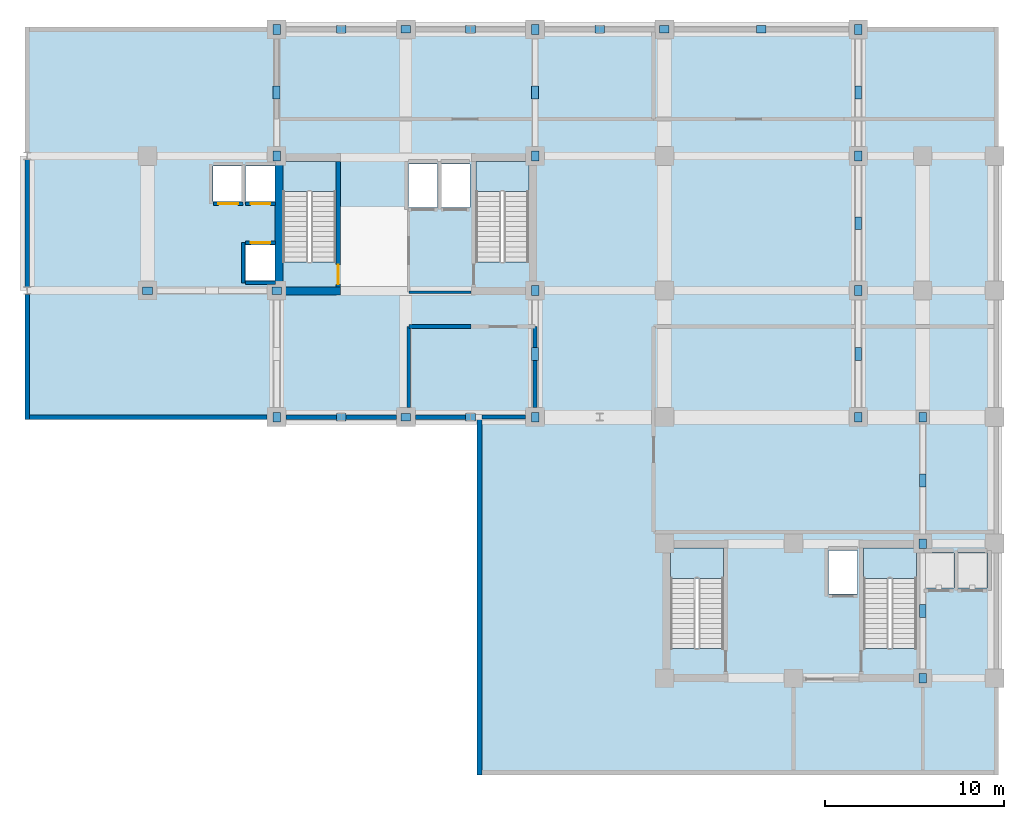
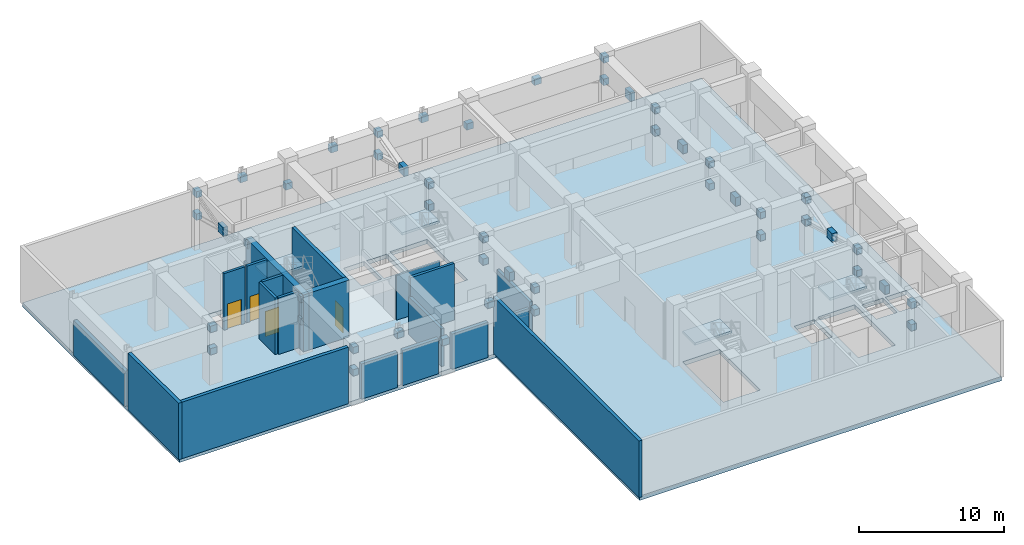
# One storey, part 4 of 10: 49 plates, 20 walls, 5 slabs, 4 doors, 4 openings, 4 elements without a shape of their own.
"""IFC4 building model written with IfcOpenShell, lengths in metres."""

from ifc_helpers import new_model, si_unit, direction, frame, frame_2d, origin, origin_2d, place, context, subcontext, project, spatial, polyline, rectangle, outline, extrude, source, transform, mapped, material, layer, layer_set, type_object, element, fill, aggregate, save


model = new_model("IFC4")

# Units and contexts
model_context = context("Model", 3, precision=1e-05, world=origin(), true_north=direction((0.0, 1.0)))
body_context = subcontext(model_context, "Body", "Model", "MODEL_VIEW")
ifc_project = project(units=[si_unit("LENGTHUNIT", "METRE"), si_unit("AREAUNIT", "SQUARE_METRE"), si_unit("VOLUMEUNIT", "CUBIC_METRE"), si_unit("PLANEANGLEUNIT", "RADIAN"), si_unit("MASSUNIT", "GRAM", prefix="KILO")], contexts=[model_context])

# Site, building, storey
site_placement = place(None, origin())
site = spatial("IfcSite", under=ifc_project, at=site_placement, CompositionType="ELEMENT")
building_placement = place(site_placement, origin())
building = spatial("IfcBuilding", under=site, at=building_placement, Name="Kaliganga Portal Commons", CompositionType="ELEMENT")
storey_placement = place(building_placement, frame((0.0, 0.0, 192.0)))
storey = spatial("IfcBuildingStorey", under=building, at=storey_placement, Name="L49", CompositionType="ELEMENT", Elevation=192.0)

# Slab
ifc_material_1 = material(Name="Concrete C60/75", Category="concrete")
ifc_layer_1 = layer(ifc_material_1, 0.360107421875)
ifc_layer_set_1 = layer_set([ifc_layer_1], Name="Concrete C60/75")
slab_type_1 = type_object("IfcSlabType", Name="SLB-OUTRIG-360", PredefinedType="FLOOR", material=ifc_layer_set_1)
slab_1_placement = place(storey_placement, frame((0.0, 0.0, -0.360107421875)))
element("IfcSlab", 1, at=slab_1_placement, inside=storey, type_object=slab_type_1, Name="Structural Floor Slab L49", PredefinedType="FLOOR", context=body_context, shape_type="SweptSolid", body=[
    extrude(outline(polyline([(25.699951171875, 1.800048828125), (54.5, 1.800048828125), (54.5, 43.199951171875), (0.5, 43.199951171875), (0.5, 21.60009765625), (25.699951171875, 21.60009765625), (25.699951171875, 1.800048828125)]), holes=[polyline([(14.75, 30.25390625), (14.75, 35.85009765625), (17.699951171875, 35.85009765625), (17.699951171875, 30.25390625), (14.75, 30.25390625)]), polyline([(25.5, 30.25390625), (25.5, 35.85009765625), (28.449951171875, 35.85009765625), (28.449951171875, 30.25390625), (25.5, 30.25390625)]), polyline([(36.35009765625, 8.7041015625), (36.35009765625, 14.300048828125), (39.300048828125, 14.300048828125), (39.300048828125, 8.7041015625), (36.35009765625, 8.7041015625)]), polyline([(47.10009765625, 8.7041015625), (47.10009765625, 14.300048828125), (50.050048828125, 14.300048828125), (50.050048828125, 8.7041015625), (47.10009765625, 8.7041015625)]), polyline([(12.6650390625, 33.614990234375), (12.6650390625, 35.5849609375), (14.3349609375, 35.5849609375), (14.3349609375, 33.614990234375), (12.6650390625, 33.614990234375)]), polyline([(12.6650390625, 29.215087890625), (12.6650390625, 31.18505859375), (14.3349609375, 31.18505859375), (14.3349609375, 29.215087890625), (12.6650390625, 29.215087890625)]), polyline([(10.864990234375, 33.614990234375), (10.864990234375, 35.5849609375), (12.534912109375, 35.5849609375), (12.534912109375, 33.614990234375), (10.864990234375, 33.614990234375)]), polyline([(21.739990234375, 33.2900390625), (21.739990234375, 35.7099609375), (23.360107421875, 35.7099609375), (23.360107421875, 33.2900390625), (21.739990234375, 33.2900390625)]), polyline([(23.5400390625, 33.2900390625), (23.5400390625, 35.7099609375), (25.159912109375, 35.7099609375), (25.159912109375, 33.2900390625), (23.5400390625, 33.2900390625)]), polyline([(50.465087890625, 12.06494140625), (50.465087890625, 14.034912109375), (52.135009765625, 14.034912109375), (52.135009765625, 12.06494140625), (50.465087890625, 12.06494140625)]), polyline([(52.31494140625, 12.06494140625), (52.31494140625, 14.034912109375), (53.985107421875, 14.034912109375), (53.985107421875, 12.06494140625), (52.31494140625, 12.06494140625)]), polyline([(45.139892578125, 11.739990234375), (45.139892578125, 14.159912109375), (46.760009765625, 14.159912109375), (46.760009765625, 11.739990234375), (45.139892578125, 11.739990234375)])]), origin(), (0.0, 0.0, 1.0), 0.360107421875),
])

# Stair, slab
ifc_material_2 = material(Name="Concrete C40/50", Category="concrete")
stair_type = type_object("IfcStairType", Name="ST-CORE-DOGLEG", PredefinedType="HALF_TURN_STAIR", material=ifc_material_2)
stair_1_placement = place(storey_placement, origin())
stair_1 = element("IfcStair", 2, at=stair_1_placement, inside=storey, type_object=stair_type, Name="L49 Protected Exit Stair ST-A1", PredefinedType="HALF_TURN_STAIR")
ifc_layer_2 = layer(ifc_material_2, 0.199951171875)
ifc_layer_set_2 = layer_set([ifc_layer_2], Name="Concrete C40/50")
slab_type_2 = type_object("IfcSlabType", Name="SLB-STAIR-LND", PredefinedType="LANDING", material=ifc_layer_set_2)
slab_2_placement = place(storey_placement, frame((0.0, 0.0, 2.39990234375)))
slab_2 = element("IfcSlab", 3, at=slab_2_placement, type_object=slab_type_2, Name="ST-A1 landing 1", PredefinedType="LANDING", context=body_context, shape_type="SweptSolid", body=[
    extrude(outline(polyline([(17.699951171875, 34.169921875), (17.699951171875, 35.85009765625), (14.75, 35.85009765625), (14.75, 34.169921875), (17.699951171875, 34.169921875)])), origin(), (0.0, 0.0, 1.0), 0.2001953125),
])
aggregate(stair_1, [slab_2])

stair_2_placement = place(storey_placement, origin())
stair_2 = element("IfcStair", 4, at=stair_2_placement, inside=storey, type_object=stair_type, Name="L49 Protected Exit Stair ST-A2", PredefinedType="HALF_TURN_STAIR")
slab_3_placement = place(storey_placement, frame((0.0, 0.0, 2.39990234375)))
slab_3 = element("IfcSlab", 5, at=slab_3_placement, type_object=slab_type_2, Name="ST-A2 landing 1", PredefinedType="LANDING", context=body_context, shape_type="SweptSolid", body=[
    extrude(outline(polyline([(28.449951171875, 34.169921875), (28.449951171875, 35.85009765625), (25.5, 35.85009765625), (25.5, 34.169921875), (28.449951171875, 34.169921875)])), origin(), (0.0, 0.0, 1.0), 0.2001953125),
])
aggregate(stair_2, [slab_3])

stair_3_placement = place(storey_placement, origin())
stair_3 = element("IfcStair", 6, at=stair_3_placement, inside=storey, type_object=stair_type, Name="L49 Protected Exit Stair ST-B1", PredefinedType="HALF_TURN_STAIR")
slab_4_placement = place(storey_placement, frame((0.0, 0.0, 2.39990234375)))
slab_4 = element("IfcSlab", 7, at=slab_4_placement, type_object=slab_type_2, Name="ST-B1 landing 1", PredefinedType="LANDING", context=body_context, shape_type="SweptSolid", body=[
    extrude(outline(polyline([(39.300048828125, 12.6201171875), (39.300048828125, 14.300048828125), (36.35009765625, 14.300048828125), (36.35009765625, 12.6201171875), (39.300048828125, 12.6201171875)])), origin(), (0.0, 0.0, 1.0), 0.2001953125),
])
aggregate(stair_3, [slab_4])

stair_4_placement = place(storey_placement, origin())
stair_4 = element("IfcStair", 8, at=stair_4_placement, inside=storey, type_object=stair_type, Name="L49 Protected Exit Stair ST-B2", PredefinedType="HALF_TURN_STAIR")
slab_5_placement = place(storey_placement, frame((0.0, 0.0, 2.39990234375)))
slab_5 = element("IfcSlab", 9, at=slab_5_placement, type_object=slab_type_2, Name="ST-B2 landing 1", PredefinedType="LANDING", context=body_context, shape_type="SweptSolid", body=[
    extrude(outline(polyline([(50.050048828125, 12.6201171875), (50.050048828125, 14.300048828125), (47.10009765625, 14.300048828125), (47.10009765625, 12.6201171875), (50.050048828125, 12.6201171875)])), origin(), (0.0, 0.0, 1.0), 0.2001953125),
])
aggregate(stair_4, [slab_5])

# Plates
ifc_material_3 = material(Name="Structural steel S460M", Category="steel")
ifc_layer_3 = layer(ifc_material_3, 0.031982421875)
ifc_layer_set_3 = layer_set([ifc_layer_3], Name="Structural steel S460M")
plate_type = type_object("IfcPlateType", Name="PLT-GUSSET-32", PredefinedType="USERDEFINED", material=ifc_layer_set_3)
shared_shape_1 = source(origin(), body_context, "Body", "SweptSolid", [
    extrude(rectangle(XDim=0.5400390625, YDim=0.419921875, at=origin_2d()), origin(), (0.0, 0.0, 1.0), 0.5400390625),
])
for number, where, z_axis, x_axis, name in (
    (10, (14.39990234375, 28.64990234375, 2.280029296875), (0.0, 0.0, 1.0), (-1.0, 0.0, 0.0), "Brace End Gusset Plate PLT-ENDG-L49-O01A0"),
    (11, (7.199951171875, 28.64990234375, 4.159912109375), (0.0, 0.0, 1.0), (-1.0, 0.0, 0.0), "Brace End Gusset Plate PLT-ENDG-L49-O01A1"),
    (12, (14.39990234375, 28.64990234375, 4.159912109375), (0.0, 0.0, 1.0), (-1.0, 0.0, 0.0), "Brace End Gusset Plate PLT-ENDG-L49-O01B0"),
    (13, (7.199951171875, 28.64990234375, 2.280029296875), (0.0, 0.0, 1.0), (-1.0, 0.0, 0.0), "Brace End Gusset Plate PLT-ENDG-L49-O01B1"),
    (14, (14.39990234375, 21.60009765625, 4.159912109375), (0.0, 0.0, 1.0), (0.0, -1.0, 0.0), "Brace End Gusset Plate PLT-ENDG-L49-O02A1"),
    (15, (14.39990234375, 21.60009765625, 2.280029296875), (0.0, 0.0, 1.0), (0.0, -1.0, 0.0), "Brace End Gusset Plate PLT-ENDG-L49-O02B1"),
    (16, (28.800048828125, 28.64990234375, 2.280029296875), (0.0, 0.0, 1.0), (0.0, -1.0, 0.0), "Brace End Gusset Plate PLT-ENDG-L49-O03A0"),
    (17, (28.800048828125, 21.60009765625, 4.159912109375), (0.0, 0.0, 1.0), (0.0, -1.0, 0.0), "Brace End Gusset Plate PLT-ENDG-L49-O03A1"),
    (18, (28.800048828125, 28.64990234375, 4.159912109375), (0.0, 0.0, 1.0), (0.0, -1.0, 0.0), "Brace End Gusset Plate PLT-ENDG-L49-O03B0"),
    (19, (28.800048828125, 21.60009765625, 2.280029296875), (0.0, 0.0, 1.0), (0.0, -1.0, 0.0), "Brace End Gusset Plate PLT-ENDG-L49-O03B1"),
    (20, (14.39990234375, 36.14990234375, 2.280029296875), (0.0, 0.0, 1.0), (0.0, 1.0, 0.0), "Brace End Gusset Plate PLT-ENDG-L49-O04A0"),
    (21, (14.39990234375, 43.199951171875, 4.159912109375), (0.0, 0.0, 1.0), (0.0, 1.0, 0.0), "Brace End Gusset Plate PLT-ENDG-L49-O04A1"),
    (22, (14.39990234375, 36.14990234375, 4.159912109375), (0.0, 0.0, 1.0), (0.0, 1.0, 0.0), "Brace End Gusset Plate PLT-ENDG-L49-O04B0"),
    (23, (14.39990234375, 43.199951171875, 2.280029296875), (0.0, 0.0, 1.0), (0.0, 1.0, 0.0), "Brace End Gusset Plate PLT-ENDG-L49-O04B1"),
    (24, (28.800048828125, 36.14990234375, 2.280029296875), (0.0, 0.0, 1.0), (0.0, 1.0, 0.0), "Brace End Gusset Plate PLT-ENDG-L49-O05A0"),
    (25, (28.800048828125, 43.199951171875, 4.159912109375), (0.0, 0.0, 1.0), (0.0, 1.0, 0.0), "Brace End Gusset Plate PLT-ENDG-L49-O05A1"),
    (26, (28.800048828125, 36.14990234375, 4.159912109375), (0.0, 0.0, 1.0), (0.0, 1.0, 0.0), "Brace End Gusset Plate PLT-ENDG-L49-O05B0"),
    (27, (28.800048828125, 43.199951171875, 2.280029296875), (0.0, 0.0, 1.0), (0.0, 1.0, 0.0), "Brace End Gusset Plate PLT-ENDG-L49-O05B1"),
    (28, (46.800048828125, 21.60009765625, 2.280029296875), (0.0, 0.0, 1.0), (0.0, 1.0, 0.0), "Brace End Gusset Plate PLT-ENDG-L49-O06A0"),
    (29, (46.800048828125, 28.64990234375, 4.159912109375), (0.0, 0.0, 1.0), (0.0, 1.0, 0.0), "Brace End Gusset Plate PLT-ENDG-L49-O06A1"),
    (30, (46.800048828125, 21.60009765625, 4.159912109375), (0.0, 0.0, 1.0), (0.0, 1.0, 0.0), "Brace End Gusset Plate PLT-ENDG-L49-O06B0"),
    (31, (46.800048828125, 28.64990234375, 2.280029296875), (0.0, 0.0, 1.0), (0.0, 1.0, 0.0), "Brace End Gusset Plate PLT-ENDG-L49-O06B1"),
    (32, (46.800048828125, 36.14990234375, 4.159912109375), (0.0, 0.0, 1.0), (0.0, 1.0, 0.0), "Brace End Gusset Plate PLT-ENDG-L49-O07A1"),
    (33, (46.800048828125, 36.14990234375, 2.280029296875), (0.0, 0.0, 1.0), (0.0, 1.0, 0.0), "Brace End Gusset Plate PLT-ENDG-L49-O07B1"),
    (34, (46.800048828125, 43.199951171875, 4.159912109375), (0.0, 0.0, 1.0), (0.0, 1.0, 0.0), "Brace End Gusset Plate PLT-ENDG-L49-O08A1"),
    (35, (46.800048828125, 43.199951171875, 2.280029296875), (0.0, 0.0, 1.0), (0.0, 1.0, 0.0), "Brace End Gusset Plate PLT-ENDG-L49-O08B1"),
    (36, (50.39990234375, 7.050048828125, 2.280029296875), (0.0, 0.0, 1.0), (0.0, 1.0, 0.0), "Brace End Gusset Plate PLT-ENDG-L49-O09A0"),
    (37, (50.39990234375, 14.550048828125, 4.159912109375), (0.0, 0.0, 1.0), (0.0, 1.0, 0.0), "Brace End Gusset Plate PLT-ENDG-L49-O09A1"),
    (38, (50.39990234375, 7.050048828125, 4.159912109375), (0.0, 0.0, 1.0), (0.0, 1.0, 0.0), "Brace End Gusset Plate PLT-ENDG-L49-O09B0"),
    (39, (50.39990234375, 14.550048828125, 2.280029296875), (0.0, 0.0, 1.0), (0.0, 1.0, 0.0), "Brace End Gusset Plate PLT-ENDG-L49-O09B1"),
    (40, (50.39990234375, 21.60009765625, 4.159912109375), (0.0, 0.0, 1.0), (0.0, 1.0, 0.0), "Brace End Gusset Plate PLT-ENDG-L49-O10A1"),
    (41, (50.39990234375, 21.60009765625, 2.280029296875), (0.0, 0.0, 1.0), (0.0, 1.0, 0.0), "Brace End Gusset Plate PLT-ENDG-L49-O10B1"),
    (42, (21.60009765625, 43.199951171875, 2.280029296875), (0.0, 0.0, 1.0), (1.0, 0.0, 0.0), "Brace End Gusset Plate PLT-ENDG-L49-B01R"),
    (43, (18.0, 43.199951171875, 4.159912109375), (0.0, 0.0, 1.0), (1.0, 0.0, 0.0), "Brace End Gusset Plate PLT-ENDG-L49-B01M"),
    (44, (25.199951171875, 43.199951171875, 4.159912109375), (0.0, 0.0, 1.0), (1.0, 0.0, 0.0), "Brace End Gusset Plate PLT-ENDG-L49-B02M"),
    (45, (36.0, 43.199951171875, 2.280029296875), (0.0, 0.0, 1.0), (1.0, 0.0, 0.0), "Brace End Gusset Plate PLT-ENDG-L49-B03R"),
    (46, (32.39990234375, 43.199951171875, 4.159912109375), (0.0, 0.0, 1.0), (1.0, 0.0, 0.0), "Brace End Gusset Plate PLT-ENDG-L49-B03M"),
    (47, (41.39990234375, 43.199951171875, 4.159912109375), (0.0, 0.0, 1.0), (1.0, 0.0, 0.0), "Brace End Gusset Plate PLT-ENDG-L49-B04M"),
    (48, (21.60009765625, 21.60009765625, 2.280029296875), (0.0, 0.0, 1.0), (1.0, 0.0, 0.0), "Brace End Gusset Plate PLT-ENDG-L49-B05R"),
    (49, (18.0, 21.60009765625, 4.159912109375), (0.0, 0.0, 1.0), (1.0, 0.0, 0.0), "Brace End Gusset Plate PLT-ENDG-L49-B05M"),
    (50, (25.199951171875, 21.60009765625, 4.159912109375), (0.0, 0.0, 1.0), (1.0, 0.0, 0.0), "Brace End Gusset Plate PLT-ENDG-L49-B06M"),
):
    element("IfcPlate", number, at=place(storey_placement, frame(where, z_axis=z_axis, x_axis=x_axis)), inside=storey, type_object=plate_type, Name=name, ObjectType="GUSSET PLATE", PredefinedType="USERDEFINED", context=body_context, shape_type="MappedRepresentation", body=[
        mapped(shared_shape_1, transform((0.0, 0.0, 0.0), x_axis=(1.0, 0.0, 0.0), y_axis=(0.0, 1.0, 0.0), z_axis=(0.0, 0.0, 1.0), scale=1.0)),
    ])
shared_shape_2 = source(origin(), body_context, "Body", "SweptSolid", [
    extrude(rectangle(XDim=0.719970703125, YDim=0.3798828125, at=origin_2d()), origin(), (0.0, 0.0, 1.0), 0.719970703125),
])
for number, where, z_axis, x_axis, name in (
    (51, (28.800048828125, 25.125, 3.1298828125), (0.0, 0.0, 1.0), (0.0, -1.0, 0.0), "Outrigger Crossing Gusset Plate GP-L49-03"),
    (52, (14.39990234375, 39.675048828125, 3.1298828125), (0.0, 0.0, 1.0), (0.0, 1.0, 0.0), "Outrigger Crossing Gusset Plate GP-L49-04"),
    (53, (28.800048828125, 39.675048828125, 3.1298828125), (0.0, 0.0, 1.0), (0.0, 1.0, 0.0), "Outrigger Crossing Gusset Plate GP-L49-05"),
    (54, (46.800048828125, 25.125, 3.1298828125), (0.0, 0.0, 1.0), (0.0, 1.0, 0.0), "Outrigger Crossing Gusset Plate GP-L49-06"),
    (55, (46.800048828125, 32.39990234375, 3.1298828125), (0.0, 0.0, 1.0), (0.0, 1.0, 0.0), "Outrigger Crossing Gusset Plate GP-L49-07"),
    (56, (46.800048828125, 39.675048828125, 3.1298828125), (0.0, 0.0, 1.0), (0.0, 1.0, 0.0), "Outrigger Crossing Gusset Plate GP-L49-08"),
    (57, (50.39990234375, 10.800048828125, 3.1298828125), (0.0, 0.0, 1.0), (0.0, 1.0, 0.0), "Outrigger Crossing Gusset Plate GP-L49-09"),
    (58, (50.39990234375, 18.074951171875, 3.1298828125), (0.0, 0.0, 1.0), (0.0, 1.0, 0.0), "Outrigger Crossing Gusset Plate GP-L49-10"),
):
    element("IfcPlate", number, at=place(storey_placement, frame(where, z_axis=z_axis, x_axis=x_axis)), inside=storey, type_object=plate_type, Name=name, ObjectType="GUSSET PLATE", PredefinedType="USERDEFINED", context=body_context, shape_type="MappedRepresentation", body=[
        mapped(shared_shape_2, transform((0.0, 0.0, 0.0), x_axis=(1.0, 0.0, 0.0), y_axis=(0.0, 1.0, 0.0), z_axis=(0.0, 0.0, 1.0), scale=1.0)),
    ])

# Walls
ifc_layer_4 = layer(ifc_material_1, 0.449951171875)
ifc_layer_set_4 = layer_set([ifc_layer_4], Name="Concrete C60/75")
wall_type_1 = type_object("IfcWallType", Name="WL-CORE-450", PredefinedType="SHEAR", material=ifc_layer_set_4)
wall_1_placement = place(storey_placement, frame((14.52490234375, 28.39990234375, 0.0), z_axis=(0.0, 0.0, 1.0), x_axis=(0.0, 1.0, 0.0)))
element("IfcWall", 59, at=wall_1_placement, inside=storey, type_object=wall_type_1, Name="Core A West Shear Wall L49", PredefinedType="SHEAR", context=body_context, shape_type="SweptSolid", body=[
    extrude(rectangle(XDim=7.900146484375, YDim=0.449951171875, at=frame_2d((3.9501953125, 0.0))), origin(), (0.0, 0.0, 1.0), 4.780029296875),
])
wall_2_placement = place(storey_placement, frame((14.75, 28.625, 0.0), z_axis=(0.0, 0.0, 1.0), x_axis=(1.0, 0.0, 0.0)))
element("IfcWall", 60, at=wall_2_placement, inside=storey, type_object=wall_type_1, Name="Core A S-West Shear Wall L49", PredefinedType="SHEAR", context=body_context, shape_type="SweptSolid", body=[
    extrude(rectangle(XDim=3.199951171875, YDim=0.449951171875, at=frame_2d((1.60009765625, 0.0))), origin(), (0.0, 0.0, 1.0), 4.780029296875),
])
ifc_material_4 = material(Name="Insulated Aluminium-Clad Spandrel Assembly", Category="aluminium")
ifc_layer_5 = layer(ifc_material_4, 0.260009765625)
ifc_layer_set_5 = layer_set([ifc_layer_5], Name="Insulated Aluminium-Clad Spandrel Assembly")
wall_type_2 = type_object("IfcWallType", Name="WL-EXT-SPAND-260", PredefinedType="STANDARD", material=ifc_layer_set_5)
wall_3_placement = place(storey_placement, frame((0.5, 28.85791015625, 0.0), z_axis=(0.0, 0.0, 1.0), x_axis=(0.0, 1.0, 0.0)))
element("IfcWall", 61, at=wall_3_placement, inside=storey, type_object=wall_type_2, Name="Exterior Envelope Wall L49 P1-E03-S2", PredefinedType="STANDARD", context=body_context, shape_type="SweptSolid", body=[
    extrude(rectangle(XDim=7.083984375, YDim=0.260009765625, at=frame_2d((3.5419921875, 0.0))), origin(), (0.0, 0.0, 1.0), 2.9599609375),
])
wall_4_placement = place(storey_placement, frame((0.5, 21.469970703125, 0.0), z_axis=(0.0, 0.0, 1.0), x_axis=(0.0, 1.0, 0.0)))
element("IfcWall", 62, at=wall_4_placement, inside=storey, type_object=wall_type_2, Name="Exterior Envelope Wall L49 P1-E03-S3", PredefinedType="STANDARD", context=body_context, shape_type="SweptSolid", body=[
    extrude(rectangle(XDim=6.971923828125, YDim=0.260009765625, at=frame_2d((3.48583984375, 0.0))), origin(), (0.0, 0.0, 1.0), 4.760009765625),
])
wall_5_placement = place(storey_placement, frame((13.8740234375, 21.60009765625, 0.0), z_axis=(0.0, 0.0, 1.0), x_axis=(-1.0, 0.0, 0.0)))
element("IfcWall", 63, at=wall_5_placement, inside=storey, type_object=wall_type_2, Name="Exterior Envelope Wall L49 P1-E04-S1", PredefinedType="STANDARD", context=body_context, shape_type="SweptSolid", body=[
    extrude(rectangle(XDim=13.239013671875, YDim=0.260009765625, at=frame_2d((6.61962890625, 0.0))), origin(), (0.0, 0.0, 1.0), 4.760009765625),
])
for number, where, z_axis, x_axis, name in (
    (64, (17.797119140625, 21.60009765625, 0.0), (0.0, 0.0, 1.0), (-1.0, 0.0, 0.0), "Exterior Envelope Wall L49 P1-E04-S2"),
    (65, (21.073974609375, 21.60009765625, 0.0), (0.0, 0.0, 1.0), (-1.0, 0.0, 0.0), "Exterior Envelope Wall L49 P1-E04-S3"),
    (66, (24.9970703125, 21.60009765625, 0.0), (0.0, 0.0, 1.0), (-1.0, 0.0, 0.0), "Exterior Envelope Wall L49 P1-E04-S4"),
):
    element("IfcWall", number, at=place(storey_placement, frame(where, z_axis=z_axis, x_axis=x_axis)), inside=storey, type_object=wall_type_2, Name=name, PredefinedType="STANDARD", context=body_context, shape_type="SweptSolid", body=[
        extrude(rectangle(XDim=2.87109375, YDim=0.260009765625, at=frame_2d((1.435546875, 0.0))), origin(), (0.0, 0.0, 1.0), 2.9599609375),
    ])
wall_6_placement = place(storey_placement, frame((25.699951171875, 1.669921875, 0.0), z_axis=(0.0, 0.0, 1.0), x_axis=(0.0, 1.0, 0.0)))
element("IfcWall", 67, at=wall_6_placement, inside=storey, type_object=wall_type_2, Name="Exterior Envelope Wall L49 P1-E05-S1", PredefinedType="STANDARD", context=body_context, shape_type="SweptSolid", body=[
    extrude(rectangle(XDim=20.06005859375, YDim=0.260009765625, at=frame_2d((10.030029296875, 0.0))), origin(), (0.0, 0.0, 1.0), 4.760009765625),
])
ifc_material_5 = material(Name="Fire-Rated Gypsum Board on Steel Stud", Category="steel")
ifc_layer_6 = layer(ifc_material_5, 0.14990234375)
ifc_layer_set_6 = layer_set([ifc_layer_6], Name="Fire-Rated Gypsum Board on Steel Stud")
wall_type_3 = type_object("IfcWallType", Name="WL-PART-CORR-150", PredefinedType="PARTITIONING", material=ifc_layer_set_6)
wall_7_placement = place(storey_placement, frame((21.760009765625, 28.56005859375, 0.0), z_axis=(0.0, 0.0, 1.0), x_axis=(1.0, 0.0, 0.0)))
element("IfcWall", 68, at=wall_7_placement, inside=storey, type_object=wall_type_3, Name="Interior Partition L49-018", PredefinedType="PARTITIONING", context=body_context, shape_type="SweptSolid", body=[
    extrude(rectangle(XDim=3.47998046875, YDim=0.14990234375, at=frame_2d((1.739990234375, 0.0))), origin(), (0.0, 0.0, 1.0), 3.760009765625),
])
ifc_material_6 = material(Name="Lightweight blockwork masonry", Category="masonry")
ifc_layer_7 = layer(ifc_material_6, 0.215087890625)
ifc_layer_set_7 = layer_set([ifc_layer_7], Name="Lightweight blockwork masonry")
wall_type_4 = type_object("IfcWallType", Name="WL-PART-PLANT-215", PredefinedType="PARTITIONING", material=ifc_layer_set_7)
wall_8_placement = place(storey_placement, frame((25.83203125, 21.60009765625, 0.0), z_axis=(0.0, 0.0, 1.0), x_axis=(1.0, 0.0, 0.0)))
element("IfcWall", 69, at=wall_8_placement, inside=storey, type_object=wall_type_4, Name="Interior Partition L49-010", PredefinedType="PARTITIONING", context=body_context, shape_type="SweptSolid", body=[
    extrude(rectangle(XDim=2.44287109375, YDim=0.215087890625, at=frame_2d((1.221435546875, 0.0))), origin(), (0.0, 0.0, 1.0), 2.9599609375),
])
wall_9_placement = place(storey_placement, frame((21.760009765625, 22.125, 0.0), z_axis=(0.0, 0.0, 1.0), x_axis=(0.0, 1.0, 0.0)))
element("IfcWall", 70, at=wall_9_placement, inside=storey, type_object=wall_type_4, Name="Interior Partition L49-012", PredefinedType="PARTITIONING", context=body_context, shape_type="SweptSolid", body=[
    extrude(rectangle(XDim=4.514892578125, YDim=0.215087890625, at=frame_2d((2.25732421875, 0.0))), origin(), (0.0, 0.0, 1.0), 3.159912109375),
])
wall_10_placement = place(storey_placement, frame((28.800048828125, 22.125, 0.0), z_axis=(0.0, 0.0, 1.0), x_axis=(0.0, 1.0, 0.0)))
element("IfcWall", 71, at=wall_10_placement, inside=storey, type_object=wall_type_4, Name="Interior Partition L49-013", PredefinedType="PARTITIONING", context=body_context, shape_type="SweptSolid", body=[
    extrude(rectangle(XDim=4.514892578125, YDim=0.215087890625, at=frame_2d((2.25732421875, 0.0))), origin(), (0.0, 0.0, 1.0), 2.9599609375),
])
wall_11_placement = place(storey_placement, frame((21.760009765625, 26.639892578125, 0.0), z_axis=(0.0, 0.0, 1.0), x_axis=(1.0, 0.0, 0.0)))
element("IfcWall", 72, at=wall_11_placement, inside=storey, type_object=wall_type_4, Name="Interior Partition L49-017", PredefinedType="PARTITIONING", context=body_context, shape_type="SweptSolid", body=[
    extrude(rectangle(XDim=3.47998046875, YDim=0.215087890625, at=frame_2d((1.739990234375, 0.0))), origin(), (0.0, 0.0, 1.0), 4.760009765625),
])

# Wall, opening, door
ifc_material_7 = material(Name="Fire-Rated Shaftwall Masonry Assembly", Category="masonry")
ifc_layer_8 = layer(ifc_material_7, 0.199951171875)
ifc_layer_set_8 = layer_set([ifc_layer_8], Name="Fire-Rated Shaftwall Masonry Assembly")
wall_type_5 = type_object("IfcWallType", Name="WL-SHAFT-200", PredefinedType="PARTITIONING", material=ifc_layer_set_8)
wall_12_placement = place(storey_placement, frame((12.675048828125, 33.485107421875, 0.0), z_axis=(0.0, 0.0, 1.0), x_axis=(1.0, 0.0, 0.0)))
wall_12 = element("IfcWall", 73, at=wall_12_placement, inside=storey, type_object=wall_type_5, Name="Lift PL-A3 Hoistway Shaft Wall L49-S", PredefinedType="PARTITIONING", context=body_context, shape_type="SweptSolid", body=[
    extrude(rectangle(XDim=1.64990234375, YDim=0.199951171875, at=frame_2d((0.824951171875, 0.0))), origin(), (0.0, 0.0, 1.0), 4.760009765625),
])
opening_1_placement = place(wall_12_placement, frame((0.27490234375, 0.0, 0.0)))
opening_1 = element("IfcOpeningElement", 74, at=opening_1_placement, cuts=wall_12, Name="Opening LD-01", PredefinedType="OPENING", context=body_context, shape_type="SweptSolid", body=[
    extrude(rectangle(XDim=1.10009765625, YDim=2.1201171875, at=frame_2d((0.550048828125, 1.06005859375))), frame((0.0, 0.10986328125, 0.0), z_axis=(0.0, -1.0, 0.0), x_axis=(1.0, 0.0, 0.0)), (0.0, 0.0, 1.0), 0.219970703125),
])
ifc_material_8 = material(Name="Brushed Stainless Steel 316 Lift Landing Door", Category="steel")
door_type_1 = type_object("IfcDoorType", Name="DR-LIFT-1100", OperationType="SLIDING_TO_LEFT", PredefinedType="DOOR", material=ifc_material_8)
door_1_placement = place(opening_1_placement, origin())
door_1 = element("IfcDoor", 75, at=door_1_placement, inside=storey, type_object=door_type_1, Name="Lift PL-A3 Sliding Landing Door L49", OperationType="SLIDING_TO_LEFT", OverallHeight=2.1201171875, OverallWidth=1.10009765625, PredefinedType="DOOR", context=body_context, shape_type="SweptSolid", body=[
    extrude(rectangle(XDim=1.10009765625, YDim=2.1201171875, at=frame_2d((0.550048828125, 1.06005859375))), frame((0.0, 0.02490234375, 0.0), z_axis=(0.0, -1.0, 0.0), x_axis=(1.0, 0.0, 0.0)), (0.0, 0.0, 1.0), 0.050048828125),
])
fill(opening_1, door_1)

# Wall
wall_13_placement = place(storey_placement, frame((12.675048828125, 29.0849609375, 0.0), z_axis=(0.0, 0.0, 1.0), x_axis=(1.0, 0.0, 0.0)))
element("IfcWall", 76, at=wall_13_placement, inside=storey, type_object=wall_type_5, Name="Lift PL-A4 Hoistway Shaft Wall L49-S", PredefinedType="PARTITIONING", context=body_context, shape_type="SweptSolid", body=[
    extrude(rectangle(XDim=1.64990234375, YDim=0.199951171875, at=frame_2d((0.824951171875, 0.0))), origin(), (0.0, 0.0, 1.0), 4.760009765625),
])

# Wall, opening, door
wall_14_placement = place(storey_placement, frame((12.675048828125, 31.31494140625, 0.0), z_axis=(0.0, 0.0, 1.0), x_axis=(1.0, 0.0, 0.0)))
wall_14 = element("IfcWall", 77, at=wall_14_placement, inside=storey, type_object=wall_type_5, Name="Lift PL-A4 Hoistway Shaft Wall L49-N", PredefinedType="PARTITIONING", context=body_context, shape_type="SweptSolid", body=[
    extrude(rectangle(XDim=1.64990234375, YDim=0.199951171875, at=frame_2d((0.824951171875, 0.0))), origin(), (0.0, 0.0, 1.0), 4.760009765625),
])
opening_2_placement = place(wall_14_placement, frame((0.27490234375, 0.0, 0.0)))
opening_2 = element("IfcOpeningElement", 78, at=opening_2_placement, cuts=wall_14, Name="Opening LD-01", PredefinedType="OPENING", context=body_context, shape_type="SweptSolid", body=[
    extrude(rectangle(XDim=1.10009765625, YDim=2.1201171875, at=frame_2d((0.550048828125, 1.06005859375))), frame((0.0, 0.10986328125, 0.0), z_axis=(0.0, -1.0, 0.0), x_axis=(1.0, 0.0, 0.0)), (0.0, 0.0, 1.0), 0.219970703125),
])
door_2_placement = place(opening_2_placement, origin())
door_2 = element("IfcDoor", 79, at=door_2_placement, inside=storey, type_object=door_type_1, Name="Lift PL-A4 Sliding Landing Door L49", OperationType="SLIDING_TO_LEFT", OverallHeight=2.1201171875, OverallWidth=1.10009765625, PredefinedType="DOOR", context=body_context, shape_type="SweptSolid", body=[
    extrude(rectangle(XDim=1.10009765625, YDim=2.1201171875, at=frame_2d((0.550048828125, 1.06005859375))), frame((0.0, 0.02490234375, 0.0), z_axis=(0.0, -1.0, 0.0), x_axis=(1.0, 0.0, 0.0)), (0.0, 0.0, 1.0), 0.050048828125),
])
fill(opening_2, door_2)

# Wall
wall_15_placement = place(storey_placement, frame((12.534912109375, 29.0849609375, 0.0), z_axis=(0.0, 0.0, 1.0), x_axis=(0.0, 1.0, 0.0)))
element("IfcWall", 80, at=wall_15_placement, inside=storey, type_object=wall_type_5, Name="Lift PL-A4 Hoistway Shaft Wall L49-W", PredefinedType="PARTITIONING", context=body_context, shape_type="SweptSolid", body=[
    extrude(rectangle(XDim=2.22998046875, YDim=0.199951171875, at=frame_2d((1.114990234375, 0.0))), origin(), (0.0, 0.0, 1.0), 4.760009765625),
])

# Wall, opening, door
wall_16_placement = place(storey_placement, frame((10.875, 33.485107421875, 0.0), z_axis=(0.0, 0.0, 1.0), x_axis=(1.0, 0.0, 0.0)))
wall_16 = element("IfcWall", 81, at=wall_16_placement, inside=storey, type_object=wall_type_5, Name="Lift PL-OBS Hoistway Shaft Wall L49-S", PredefinedType="PARTITIONING", context=body_context, shape_type="SweptSolid", body=[
    extrude(rectangle(XDim=1.64990234375, YDim=0.199951171875, at=frame_2d((0.824951171875, 0.0))), origin(), (0.0, 0.0, 1.0), 4.760009765625),
])
opening_3_placement = place(wall_16_placement, frame((0.27490234375, 0.0, 0.0)))
opening_3 = element("IfcOpeningElement", 82, at=opening_3_placement, cuts=wall_16, Name="Opening LD-01", PredefinedType="OPENING", context=body_context, shape_type="SweptSolid", body=[
    extrude(rectangle(XDim=1.10009765625, YDim=2.1201171875, at=frame_2d((0.550048828125, 1.06005859375))), frame((0.0, 0.10986328125, 0.0), z_axis=(0.0, -1.0, 0.0), x_axis=(1.0, 0.0, 0.0)), (0.0, 0.0, 1.0), 0.219970703125),
])
door_3_placement = place(opening_3_placement, origin())
door_3 = element("IfcDoor", 83, at=door_3_placement, inside=storey, type_object=door_type_1, Name="Lift PL-OBS Sliding Landing Door L49", OperationType="SLIDING_TO_LEFT", OverallHeight=2.1201171875, OverallWidth=1.10009765625, PredefinedType="DOOR", context=body_context, shape_type="SweptSolid", body=[
    extrude(rectangle(XDim=1.10009765625, YDim=2.1201171875, at=frame_2d((0.550048828125, 1.06005859375))), frame((0.0, 0.02490234375, 0.0), z_axis=(0.0, -1.0, 0.0), x_axis=(1.0, 0.0, 0.0)), (0.0, 0.0, 1.0), 0.050048828125),
])
fill(opening_3, door_3)

ifc_material_9 = material(Name="Concrete C50/60", Category="concrete")
ifc_layer_9 = layer(ifc_material_9, 0.25)
ifc_layer_set_9 = layer_set([ifc_layer_9], Name="Concrete C50/60")
wall_type_6 = type_object("IfcWallType", Name="WL-STAIR-250", PredefinedType="SHEAR", material=ifc_layer_set_9)
wall_17_placement = place(storey_placement, frame((17.824951171875, 28.85009765625, 0.0), z_axis=(0.0, 0.0, 1.0), x_axis=(0.0, 1.0, 0.0)))
wall_17 = element("IfcWall", 84, at=wall_17_placement, inside=storey, type_object=wall_type_6, Name="Stair A1 Enclosure Shear Wall L49", PredefinedType="SHEAR", context=body_context, shape_type="SweptSolid", body=[
    extrude(rectangle(XDim=7.0, YDim=0.25, at=frame_2d((3.5, 0.0))), origin(), (0.0, 0.0, 1.0), 4.780029296875),
])
opening_4_placement = place(wall_17_placement, frame((0.14990234375, 0.0, 0.0)))
opening_4 = element("IfcOpeningElement", 85, at=opening_4_placement, cuts=wall_17, Name="Opening SD-01", PredefinedType="OPENING", context=body_context, shape_type="SweptSolid", body=[
    extrude(rectangle(XDim=1.10009765625, YDim=2.080078125, at=frame_2d((0.550048828125, 1.0400390625))), frame((0.0, 0.135009765625, 0.0), z_axis=(0.0, -1.0, 0.0), x_axis=(1.0, 0.0, 0.0)), (0.0, 0.0, 1.0), 0.27001953125),
])
ifc_material_10 = material(Name="Galvanized Steel Fire Door Leaf and Frame", Category="steel")
door_type_2 = type_object("IfcDoorType", Name="DR-STAIR-1100", OperationType="NOTDEFINED", PredefinedType="DOOR", material=ifc_material_10)
door_4_placement = place(opening_4_placement, origin())
door_4 = element("IfcDoor", 86, at=door_4_placement, inside=storey, type_object=door_type_2, Name="Protected Stair ST-A1 Fire Door L49", OperationType="SINGLE_SWING_LEFT", OverallHeight=2.080078125, OverallWidth=1.10009765625, PredefinedType="DOOR", context=body_context, shape_type="SweptSolid", body=[
    extrude(rectangle(XDim=1.10009765625, YDim=2.080078125, at=frame_2d((0.550048828125, 1.0400390625))), frame((0.0, 0.02490234375, 0.0), z_axis=(0.0, -1.0, 0.0), x_axis=(1.0, 0.0, 0.0)), (0.0, 0.0, 1.0), 0.050048828125),
])
fill(opening_4, door_4)

save(model, "model.ifc")
